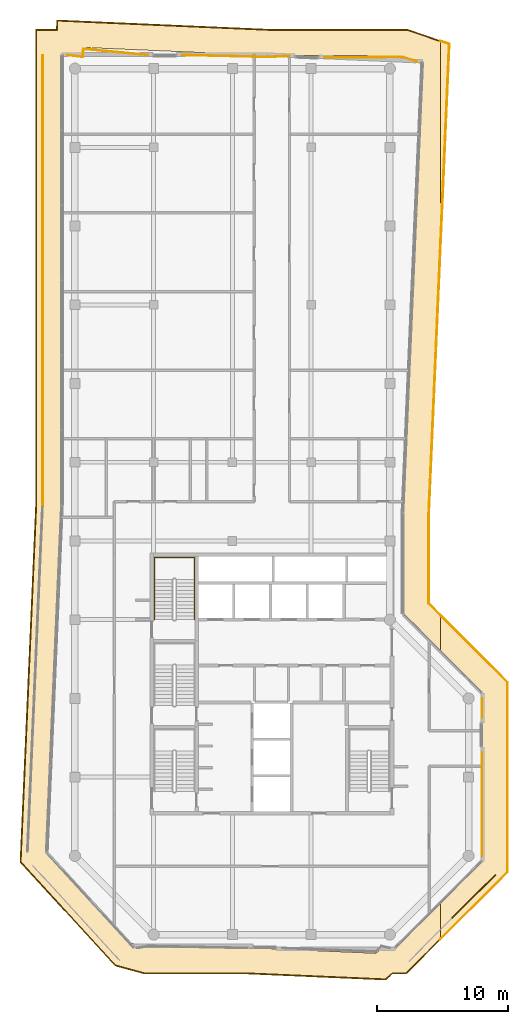
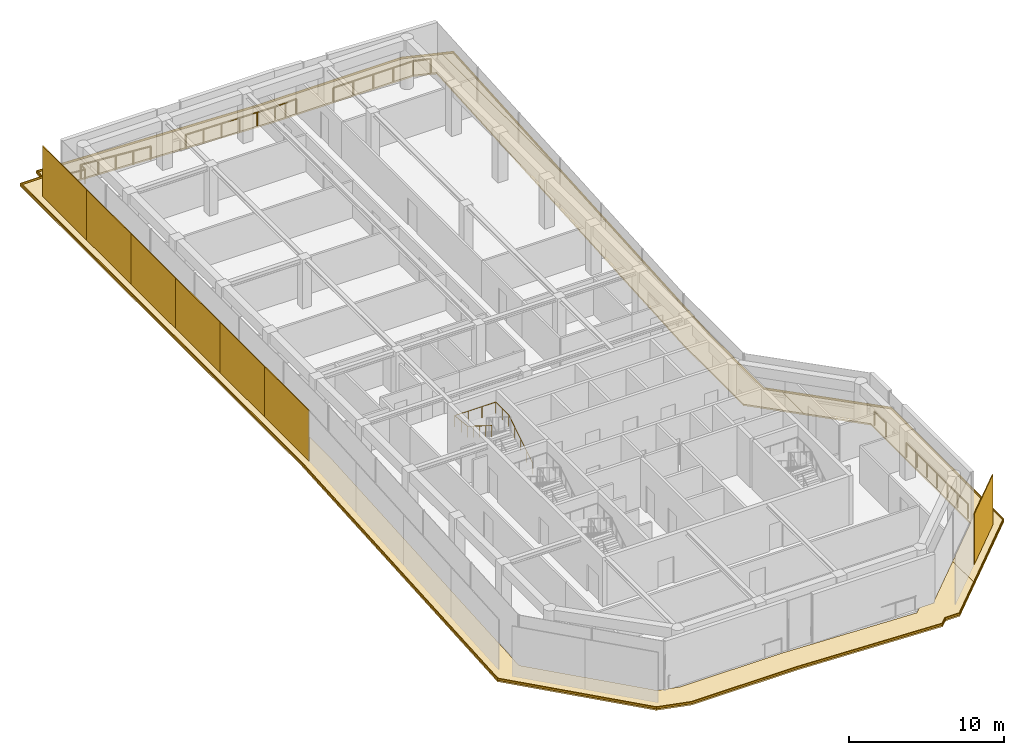
# One storey, part 19 of 19: 14 coverings, 6 railings.
"""IFC4 building model written with IfcOpenShell, lengths in metres."""

from ifc_helpers import new_model, si_unit, direction, frame, origin, origin_2d, place, context, subcontext, project, spatial, polyline, rectangle, circle, outline, extrude, material, layer, layer_set, type_object, element, save


model = new_model("IFC4")

# Units and contexts
model_context = context("Model", 3, precision=1e-05, world=origin(), true_north=direction((0.0, 1.0)))
body_context = subcontext(model_context, "Body", "Model", "MODEL_VIEW")
ifc_project = project(units=[si_unit("LENGTHUNIT", "METRE"), si_unit("AREAUNIT", "SQUARE_METRE"), si_unit("VOLUMEUNIT", "CUBIC_METRE"), si_unit("PLANEANGLEUNIT", "RADIAN"), si_unit("MASSUNIT", "GRAM", prefix="KILO")], contexts=[model_context])

# Site, building, storey
site_placement = place(None, origin())
site = spatial("IfcSite", under=ifc_project, at=site_placement, CompositionType="ELEMENT")
building_placement = place(site_placement, origin())
building = spatial("IfcBuilding", under=site, at=building_placement, Name="Welwitschia Terrace Campus", CompositionType="ELEMENT")
storey_placement = place(building_placement, frame((0.0, 0.0, 276.800048828125)))
storey = spatial("IfcBuildingStorey", under=building, at=storey_placement, Name="L61", CompositionType="ELEMENT", Elevation=276.800048828125)

# Coverings
ifc_material_1 = material(Name="Bronze mesh aluminium screen", Category="aluminium")
ifc_layer_1 = layer(ifc_material_1, 0.06005859375)
ifc_layer_set_1 = layer_set([ifc_layer_1], Name="Bronze mesh aluminium screen")
covering_type_1 = type_object("IfcCoveringType", Name="Bronze screen 60", PredefinedType="USERDEFINED", material=ifc_layer_set_1)
covering_1_placement = place(storey_placement, frame((30.390380859375, -1.088623046875, 0.0), z_axis=(0.0, 0.0, 1.0), x_axis=(0.707106781187, 0.707106781187, 0.0)))
element("IfcCovering", 1, at=covering_1_placement, inside=storey, type_object=covering_type_1, Name="Screen L61.3.1", ObjectType="SCREEN", PredefinedType="USERDEFINED", context=body_context, shape_type="SweptSolid", body=[
    extrude(rectangle(XDim=4.6494140625, YDim=0.06005859375, at=origin_2d()), origin(), (0.0, 0.0, 1.0), 3.949951171875),
])
for number, where, z_axis, x_axis, name in (
    (2, (-2.4599609375, 60.17041015625, 0.0), (0.0, 0.0, 1.0), (0.0, -1.0, 0.0), "Screen L61.10.0"),
    (3, (-2.4599609375, 54.451416015625, 0.0), (0.0, 0.0, 1.0), (0.0, -1.0, 0.0), "Screen L61.10.1"),
    (4, (-2.4599609375, 48.732421875, 0.0), (0.0, 0.0, 1.0), (0.0, -1.0, 0.0), "Screen L61.10.2"),
    (5, (-2.4599609375, 43.01318359375, 0.0), (0.0, 0.0, 1.0), (0.0, -1.0, 0.0), "Screen L61.10.3"),
    (6, (-2.4599609375, 37.294189453125, 0.0), (0.0, 0.0, 1.0), (0.0, -1.0, 0.0), "Screen L61.10.4"),
    (7, (-2.4599609375, 31.574951171875, 0.0), (0.0, 0.0, 1.0), (0.0, -1.0, 0.0), "Screen L61.10.5"),
):
    element("IfcCovering", number, at=place(storey_placement, frame(where, z_axis=z_axis, x_axis=x_axis)), inside=storey, type_object=covering_type_1, Name=name, ObjectType="SCREEN", PredefinedType="USERDEFINED", context=body_context, shape_type="SweptSolid", body=[
        extrude(rectangle(XDim=5.69921875, YDim=0.06005859375, at=origin_2d()), origin(), (0.0, 0.0, 1.0), 3.949951171875),
    ])

# Railings
ifc_material_2 = material(Name="Stainless steel grade 316", Category="steel")
railing_type_1 = type_object("IfcRailingType", Name="Guard 1100", PredefinedType="GUARDRAIL", material=ifc_material_2)
railing_1_placement = place(storey_placement, frame((-0.580078125, 63.030029296875, 0.0)))
element("IfcRailing", 8, at=railing_1_placement, inside=storey, type_object=railing_type_1, Name="Guard floor edge L61.0", PredefinedType="GUARDRAIL", context=body_context, shape_type="SweptSolid", body=[
    extrude(circle(Radius=0.02392578125, at=origin_2d()), frame((0.0, 0.0, 1.076171875), z_axis=(0.992158611334, -0.124985158945, 0.0), x_axis=(0.124985158945, 0.992158611334, 0.0)), (0.0, 0.0, 1.0), 1.201416015625),
    extrude(circle(Radius=0.02392578125, at=origin_2d()), frame((1.19189453125, -0.150146484375, 1.076171875), z_axis=(0.043609267053, 0.999048663393, 0.0), x_axis=(-0.999048663393, 0.043609267053, 0.0)), (0.0, 0.0, 1.0), 0.61572265625),
    extrude(circle(Radius=0.02392578125, at=origin_2d()), frame((1.21875, 0.465087890625, 1.076171875), z_axis=(0.995590789177, -0.093802881121, 0.0), x_axis=(0.093802881121, 0.995590789177, 0.0)), (0.0, 0.0, 1.0), 4.958251953125),
    extrude(circle(Radius=0.02099609375, at=origin_2d()), origin(), (0.0, 0.0, 1.0), 1.052001953125),
    extrude(circle(Radius=0.02099609375, at=origin_2d()), frame((1.19189453125, -0.150146484375, 0.0)), (0.0, 0.0, 1.0), 1.052001953125),
    extrude(circle(Radius=0.02099609375, at=origin_2d()), frame((1.21875, 0.465087890625, 0.0)), (0.0, 0.0, 1.0), 1.052001953125),
    extrude(circle(Radius=0.02099609375, at=origin_2d()), frame((2.452880859375, 0.348876953125, 0.0)), (0.0, 0.0, 1.0), 1.052001953125),
    extrude(circle(Radius=0.02099609375, at=origin_2d()), frame((3.68701171875, 0.232421875, 0.0)), (0.0, 0.0, 1.0), 1.052001953125),
    extrude(circle(Radius=0.02099609375, at=origin_2d()), frame((4.9208984375, 0.1162109375, 0.0)), (0.0, 0.0, 1.0), 1.052001953125),
    extrude(circle(Radius=0.02099609375, at=origin_2d()), frame((6.155029296875, 0.0, 0.0)), (0.0, 0.0, 1.0), 1.052001953125),
])
railing_2_placement = place(storey_placement, frame((8.177978515625, 63.030029296875, 0.0)))
element("IfcRailing", 9, at=railing_2_placement, inside=storey, type_object=railing_type_1, Name="Guard floor edge L61.2", PredefinedType="GUARDRAIL", context=body_context, shape_type="SweptSolid", body=[
    extrude(circle(Radius=0.02392578125, at=origin_2d()), frame((0.0, 0.0, 1.076171875), z_axis=(0.999737176718, -0.022925476852, 0.0), x_axis=(0.022925476852, 0.999737176718, 0.0)), (0.0, 0.0, 1.0), 6.54931640625),
    extrude(circle(Radius=0.02392578125, at=origin_2d()), frame((6.547607421875, -0.150146484375, 1.076171875), z_axis=(0.998806059745, 0.048851356344, 0.0), x_axis=(-0.048851356344, 0.998806059745, 0.0)), (0.0, 0.0, 1.0), 1.6142578125),
    extrude(circle(Radius=0.02099609375, at=origin_2d()), origin(), (0.0, 0.0, 1.0), 1.052001953125),
    extrude(circle(Radius=0.02099609375, at=origin_2d()), frame((1.3095703125, -0.030029296875, 0.0)), (0.0, 0.0, 1.0), 1.052001953125),
    extrude(circle(Radius=0.02099609375, at=origin_2d()), frame((2.619140625, -0.06005859375, 0.0)), (0.0, 0.0, 1.0), 1.052001953125),
    extrude(circle(Radius=0.02099609375, at=origin_2d()), frame((3.928466796875, -0.090087890625, 0.0)), (0.0, 0.0, 1.0), 1.052001953125),
    extrude(circle(Radius=0.02099609375, at=origin_2d()), frame((5.238037109375, -0.1201171875, 0.0)), (0.0, 0.0, 1.0), 1.052001953125),
    extrude(circle(Radius=0.02099609375, at=origin_2d()), frame((6.547607421875, -0.150146484375, 0.0)), (0.0, 0.0, 1.0), 1.052001953125),
    extrude(circle(Radius=0.02099609375, at=origin_2d()), frame((7.353759765625, -0.11083984375, 0.0)), (0.0, 0.0, 1.0), 1.052001953125),
    extrude(circle(Radius=0.02099609375, at=origin_2d()), frame((8.159912109375, -0.0712890625, 0.0)), (0.0, 0.0, 1.0), 1.052001953125),
])
railing_3_placement = place(storey_placement, frame((19.02587890625, 62.839599609375, 0.0)))
element("IfcRailing", 10, at=railing_3_placement, inside=storey, type_object=railing_type_1, Name="Guard floor edge L61.4", PredefinedType="GUARDRAIL", context=body_context, shape_type="SweptSolid", body=[
    extrude(circle(Radius=0.02392578125, at=origin_2d()), frame((0.0, 0.0, 1.076171875), z_axis=(0.999977113962, 0.006765467599, 0.0), x_axis=(-0.006765467599, 0.999977113962, 0.0)), (0.0, 0.0, 1.0), 5.954345703125),
    extrude(circle(Radius=0.02392578125, at=origin_2d()), frame((5.9541015625, 0.040283203125, 1.076171875), z_axis=(0.952294092285, -0.305181850377, 0.0), x_axis=(0.305181850377, 0.952294092285, 0.0)), (0.0, 0.0, 1.0), 1.156005859375),
    extrude(circle(Radius=0.02099609375, at=origin_2d()), origin(), (0.0, 0.0, 1.0), 1.052001953125),
    extrude(circle(Radius=0.02099609375, at=origin_2d()), frame((1.488525390625, 0.010009765625, 0.0)), (0.0, 0.0, 1.0), 1.052001953125),
    extrude(circle(Radius=0.02099609375, at=origin_2d()), frame((2.97705078125, 0.02001953125, 0.0)), (0.0, 0.0, 1.0), 1.052001953125),
    extrude(circle(Radius=0.02099609375, at=origin_2d()), frame((4.465576171875, 0.0302734375, 0.0)), (0.0, 0.0, 1.0), 1.052001953125),
    extrude(circle(Radius=0.02099609375, at=origin_2d()), frame((5.9541015625, 0.040283203125, 0.0)), (0.0, 0.0, 1.0), 1.052001953125),
    extrude(circle(Radius=0.02099609375, at=origin_2d()), frame((7.054931640625, -0.3125, 0.0)), (0.0, 0.0, 1.0), 1.052001953125),
])
railing_4_placement = place(storey_placement, frame((31.030029296875, 9.8896484375, 0.0)))
element("IfcRailing", 11, at=railing_4_placement, inside=storey, type_object=railing_type_1, Name="Guard floor edge L61.5", PredefinedType="GUARDRAIL", context=body_context, shape_type="SweptSolid", body=[
    extrude(circle(Radius=0.02392578125, at=origin_2d()), frame((0.0, 0.0, 1.076171875), z_axis=(0.0, -1.0, 0.0), x_axis=(1.0, 0.0, 0.0)), (0.0, 0.0, 1.0), 7.892578125),
    extrude(circle(Radius=0.02099609375, at=origin_2d()), origin(), (0.0, 0.0, 1.0), 1.052001953125),
    extrude(circle(Radius=0.02099609375, at=origin_2d()), frame((0.0, -1.3154296875, 0.0)), (0.0, 0.0, 1.0), 1.052001953125),
    extrude(circle(Radius=0.02099609375, at=origin_2d()), frame((0.0, -2.630859375, 0.0)), (0.0, 0.0, 1.0), 1.052001953125),
    extrude(circle(Radius=0.02099609375, at=origin_2d()), frame((0.0, -3.9462890625, 0.0)), (0.0, 0.0, 1.0), 1.052001953125),
    extrude(circle(Radius=0.02099609375, at=origin_2d()), frame((0.0, -5.26171875, 0.0)), (0.0, 0.0, 1.0), 1.052001953125),
    extrude(circle(Radius=0.02099609375, at=origin_2d()), frame((0.0, -6.5771484375, 0.0)), (0.0, 0.0, 1.0), 1.052001953125),
    extrude(circle(Radius=0.02099609375, at=origin_2d()), frame((0.0, -7.892578125, 0.0)), (0.0, 0.0, 1.0), 1.052001953125),
])
railing_5_placement = place(storey_placement, frame((31.030029296875, 14.0029296875, 0.0)))
element("IfcRailing", 12, at=railing_5_placement, inside=storey, type_object=railing_type_1, Name="Guard floor edge L61.6", PredefinedType="GUARDRAIL", context=body_context, shape_type="SweptSolid", body=[
    extrude(circle(Radius=0.02392578125, at=origin_2d()), frame((0.0, 0.0, 1.076171875), z_axis=(0.0, -1.0, 0.0), x_axis=(1.0, 0.0, 0.0)), (0.0, 0.0, 1.0), 1.4658203125),
    extrude(circle(Radius=0.02099609375, at=origin_2d()), origin(), (0.0, 0.0, 1.0), 1.052001953125),
    extrude(circle(Radius=0.02099609375, at=origin_2d()), frame((0.0, -1.4658203125, 0.0)), (0.0, 0.0, 1.0), 1.052001953125),
])
ifc_material_3 = material(Name="Steel S355", Category="steel")
railing_type_2 = type_object("IfcRailingType", Name="Stair handrail 900", PredefinedType="HANDRAIL", material=ifc_material_3)
railing_6_placement = place(storey_placement, frame((9.10009765625, 20.0, 0.175048828125)))
element("IfcRailing", 13, at=railing_6_placement, inside=storey, type_object=railing_type_2, Name="L61 S4 stair handrail", PredefinedType="HANDRAIL", context=body_context, shape_type="SweptSolid", body=[
    extrude(circle(Radius=0.02392578125, at=origin_2d()), frame((0.0, 0.0, 0.8759765625), z_axis=(0.0, 0.848028513186, 0.529950602248), x_axis=(-1.0, 0.0, 0.0)), (0.0, 0.0, 1.0), 3.632080078125),
    extrude(circle(Radius=0.02392578125, at=origin_2d()), frame((0.0, 3.080078125, 2.80078125), z_axis=(0.0, 1.0, 0.0), x_axis=(-1.0, 0.0, 0.0)), (0.0, 0.0, 1.0), 1.669921875),
    extrude(circle(Radius=0.02392578125, at=origin_2d()), frame((0.0, 4.75, 2.80078125), z_axis=(-1.0, 0.0, 0.0), x_axis=(0.0, -1.0, 0.0)), (0.0, 0.0, 1.0), 3.050048828125),
    extrude(circle(Radius=0.02392578125, at=origin_2d()), frame((-3.050048828125, 4.75, 2.80078125), z_axis=(0.0, -0.99455077262, 0.104253348533), x_axis=(1.0, 0.0, 0.0)), (0.0, 0.0, 1.0), 1.678955078125),
    extrude(circle(Radius=0.02392578125, at=origin_2d()), frame((-3.050048828125, 3.080078125, 2.9755859375), z_axis=(0.0, -0.847998304005, 0.529998940003), x_axis=(1.0, 0.0, 0.0)), (0.0, 0.0, 1.0), 3.632080078125),
    extrude(circle(Radius=0.02099609375, at=origin_2d()), origin(), (0.0, 0.0, 1.0), 0.851806640625),
    extrude(circle(Radius=0.02099609375, at=origin_2d()), frame((0.0, 0.77001953125, 0.481201171875)), (0.0, 0.0, 1.0), 0.851806640625),
    extrude(circle(Radius=0.02099609375, at=origin_2d()), frame((0.0, 1.5400390625, 0.96240234375)), (0.0, 0.0, 1.0), 0.851806640625),
    extrude(circle(Radius=0.02099609375, at=origin_2d()), frame((0.0, 2.31005859375, 1.443603515625)), (0.0, 0.0, 1.0), 0.851806640625),
    extrude(circle(Radius=0.02099609375, at=origin_2d()), frame((0.0, 3.080078125, 1.9248046875)), (0.0, 0.0, 1.0), 0.851806640625),
    extrude(circle(Radius=0.02099609375, at=origin_2d()), frame((0.0, 3.9150390625, 1.9248046875)), (0.0, 0.0, 1.0), 0.851806640625),
    extrude(circle(Radius=0.02099609375, at=origin_2d()), frame((0.0, 4.75, 1.9248046875)), (0.0, 0.0, 1.0), 0.851806640625),
    extrude(circle(Radius=0.02099609375, at=origin_2d()), frame((-1.0166015625, 4.75, 1.9248046875)), (0.0, 0.0, 1.0), 0.851806640625),
    extrude(circle(Radius=0.02099609375, at=origin_2d()), frame((-2.033447265625, 4.75, 1.9248046875)), (0.0, 0.0, 1.0), 0.851806640625),
    extrude(circle(Radius=0.02099609375, at=origin_2d()), frame((-3.050048828125, 4.75, 1.9248046875)), (0.0, 0.0, 1.0), 0.851806640625),
    extrude(circle(Radius=0.02099609375, at=origin_2d()), frame((-3.050048828125, 3.9150390625, 2.01220703125)), (0.0, 0.0, 1.0), 0.851806640625),
    extrude(circle(Radius=0.02099609375, at=origin_2d()), frame((-3.050048828125, 3.080078125, 2.099853515625)), (0.0, 0.0, 1.0), 0.851806640625),
    extrude(circle(Radius=0.02099609375, at=origin_2d()), frame((-3.050048828125, 2.31005859375, 2.5810546875)), (0.0, 0.0, 1.0), 0.851806640625),
    extrude(circle(Radius=0.02099609375, at=origin_2d()), frame((-3.050048828125, 1.5400390625, 3.0625)), (0.0, 0.0, 1.0), 0.851806640625),
    extrude(circle(Radius=0.02099609375, at=origin_2d()), frame((-3.050048828125, 0.77001953125, 3.543701171875)), (0.0, 0.0, 1.0), 0.851806640625),
    extrude(circle(Radius=0.02099609375, at=origin_2d()), frame((-3.050048828125, 0.0, 4.02490234375)), (0.0, 0.0, 1.0), 0.851806640625),
])

# Coverings
ifc_material_4 = material(Name="Bronze anodised aluminium", Category="aluminium")
ifc_layer_2 = layer(ifc_material_4, 0.1201171875)
ifc_layer_set_2 = layer_set([ifc_layer_2], Name="Bronze anodised aluminium")
covering_type_2 = type_object("IfcCoveringType", Name="Sunshade band 2000", PredefinedType="USERDEFINED", material=ifc_layer_set_2)
covering_2_placement = place(storey_placement, frame((0.0, 0.0, -0.25)))
element("IfcCovering", 14, at=covering_2_placement, inside=storey, type_object=covering_type_2, Name="SUNSHADE L61.SW0", ObjectType="SUNSHADE", PredefinedType="USERDEFINED", context=body_context, shape_type="SweptSolid", body=[
    extrude(outline(polyline([(-1.386962890625, 65.70556640625), (14.77197265625, 65.0), (25.333251953125, 65.0), (27.84521484375, 64.138916015625), (27.84521484375, 47.4609375), (27.0, 28.103759765625), (27.0, 21.24267578125), (27.84521484375, 20.3974609375), (27.84521484375, 17.569091796875), (25.0, 20.414306640625), (25.0, 28.1474609375), (26.499267578125, 62.486083984375), (25.0, 63.0), (14.728271484375, 63.0), (0.52392578125, 63.6201171875), (0.496826171875, 63.0), (-1.0, 63.0), (-1.0, 28.71484375), (-2.15478515625, 2.264404296875), (4.137451171875, -4.602294921875), (5.585693359375, -5.0), (13.244384765625, -5.0), (22.947998046875, -5.423583984375), (23.410400390625, -5.0), (24.414306640625, -5.0), (27.84521484375, -1.569091796875), (27.84521484375, -4.3974609375), (25.24267578125, -7.0), (24.18798828125, -7.0), (23.688232421875, -7.4580078125), (13.20068359375, -7.0), (5.316162109375, -7.0), (3.05224609375, -6.37841796875), (-4.189208984375, 1.52392578125), (-3.0, 28.758544921875), (-3.0, 65.0), (-1.417724609375, 65.0), (-1.386962890625, 65.70556640625)])), origin(), (0.0, 0.0, 1.0), 0.119873046875),
])
covering_3_placement = place(storey_placement, frame((0.0, 0.0, -0.25)))
element("IfcCovering", 15, at=covering_3_placement, inside=storey, type_object=covering_type_2, Name="SUNSHADE L61.SE0", ObjectType="SUNSHADE", PredefinedType="USERDEFINED", context=body_context, shape_type="SweptSolid", body=[
    extrude(outline(polyline([(28.5625, 63.89306640625), (27.84521484375, 47.4609375), (27.84521484375, 64.138916015625), (28.5625, 63.89306640625)])), origin(), (0.0, 0.0, 1.0), 0.119873046875),
])
covering_4_placement = place(storey_placement, frame((0.0, 0.0, -0.25)))
element("IfcCovering", 16, at=covering_4_placement, inside=storey, type_object=covering_type_2, Name="SUNSHADE L61.SE1", ObjectType="SUNSHADE", PredefinedType="USERDEFINED", context=body_context, shape_type="SweptSolid", body=[
    extrude(outline(polyline([(33.0, 15.24267578125), (33.0, 0.75732421875), (27.84521484375, -4.3974609375), (27.84521484375, -1.569091796875), (31.0, 1.585693359375), (31.0, 14.414306640625), (27.84521484375, 17.569091796875), (27.84521484375, 20.3974609375), (33.0, 15.24267578125)])), origin(), (0.0, 0.0, 1.0), 0.119873046875),
])
ifc_material_5 = material(Name="Bronze anodised aluminium", Category="aluminium")
ifc_layer_3 = layer(ifc_material_5, 0.06005859375)
ifc_layer_set_3 = layer_set([ifc_layer_3], Name="Bronze anodised aluminium")
covering_type_3 = type_object("IfcCoveringType", Name="Sunshade lip 60", PredefinedType="USERDEFINED", material=ifc_layer_set_3)
covering_5_placement = place(storey_placement, frame((0.0, 0.0, -0.130126953125)))
element("IfcCovering", 17, at=covering_5_placement, inside=storey, type_object=covering_type_3, Name="SUNSHADE LIP L61.SW0.0", ObjectType="SUNSHADE", PredefinedType="USERDEFINED", context=body_context, shape_type="SweptSolid", body=[
    extrude(outline(polyline([(14.77197265625, 65.0), (25.333251953125, 65.0), (27.84521484375, 64.138916015625), (27.84521484375, 64.075439453125), (25.3232421875, 64.93994140625), (14.7705078125, 64.93994140625), (-1.32958984375, 65.642822265625), (-1.360107421875, 64.93994140625), (-2.93994140625, 64.93994140625), (-2.93994140625, 28.757080078125), (-4.128173828125, 1.546142578125), (3.084716796875, -6.3251953125), (5.32421875, -6.93994140625), (13.2021484375, -6.93994140625), (23.666015625, -7.39697265625), (24.164794921875, -6.93994140625), (25.2177734375, -6.93994140625), (27.84521484375, -4.3125), (27.84521484375, -4.3974609375), (25.24267578125, -7.0), (24.18798828125, -7.0), (23.688232421875, -7.4580078125), (13.20068359375, -7.0), (5.316162109375, -7.0), (3.05224609375, -6.37841796875), (-4.189208984375, 1.52392578125), (-3.0, 28.758544921875), (-3.0, 65.0), (-1.417724609375, 65.0), (-1.386962890625, 65.70556640625), (14.77197265625, 65.0)])), origin(), (0.0, 0.0, 1.0), 0.130126953125),
])
covering_6_placement = place(storey_placement, frame((0.0, 0.0, -0.130126953125)))
element("IfcCovering", 18, at=covering_6_placement, inside=storey, type_object=covering_type_3, Name="SUNSHADE LIP L61.SW0.1", ObjectType="SUNSHADE", PredefinedType="USERDEFINED", context=body_context, shape_type="SweptSolid", body=[
    extrude(outline(polyline([(27.84521484375, 47.4609375), (27.0, 28.103759765625), (27.0, 21.24267578125), (27.84521484375, 20.3974609375), (27.84521484375, 20.3125), (26.93994140625, 21.2177734375), (26.93994140625, 28.105224609375), (27.84521484375, 48.83642578125), (27.84521484375, 47.4609375)])), origin(), (0.0, 0.0, 1.0), 0.130126953125),
])
covering_7_placement = place(storey_placement, frame((0.0, 0.0, -0.130126953125)))
element("IfcCovering", 19, at=covering_7_placement, inside=storey, type_object=covering_type_3, Name="SUNSHADE LIP L61.SE0.0", ObjectType="SUNSHADE", PredefinedType="USERDEFINED", context=body_context, shape_type="SweptSolid", body=[
    extrude(outline(polyline([(27.84521484375, 47.4609375), (27.84521484375, 48.83642578125), (28.500732421875, 63.850830078125), (27.84521484375, 64.075439453125), (27.84521484375, 64.138916015625), (28.5625, 63.89306640625), (27.84521484375, 47.4609375)])), origin(), (0.0, 0.0, 1.0), 0.130126953125),
])
covering_8_placement = place(storey_placement, frame((0.0, 0.0, -0.130126953125)))
element("IfcCovering", 20, at=covering_8_placement, inside=storey, type_object=covering_type_3, Name="SUNSHADE LIP L61.SE1.0", ObjectType="SUNSHADE", PredefinedType="USERDEFINED", context=body_context, shape_type="SweptSolid", body=[
    extrude(outline(polyline([(33.0, 0.75732421875), (27.84521484375, -4.3974609375), (27.84521484375, -4.3125), (32.93994140625, 0.7822265625), (32.93994140625, 15.2177734375), (27.84521484375, 20.3125), (27.84521484375, 20.3974609375), (33.0, 15.24267578125), (33.0, 0.75732421875)])), origin(), (0.0, 0.0, 1.0), 0.130126953125),
])

save(model, "model.ifc")
